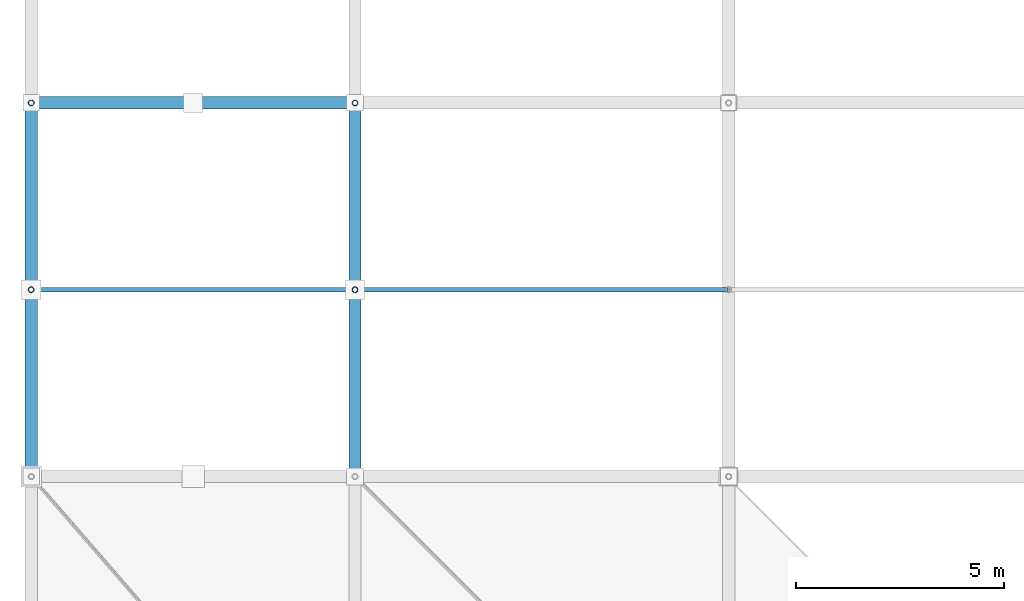
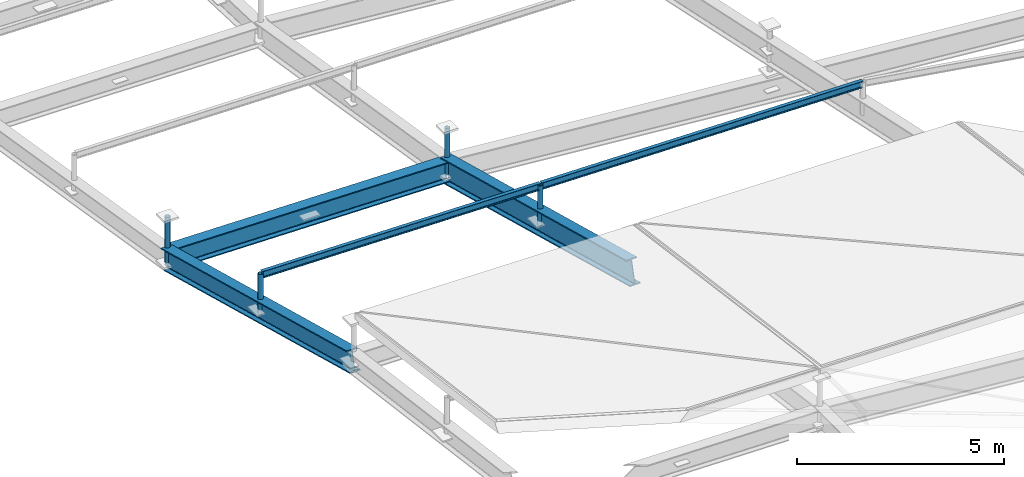
# One storey, part 31 of 80: 6 members, 3 beams.
"""IFC4 building model written with IfcOpenShell, lengths in metres."""

from ifc_helpers import new_model, si_unit, direction, frame, origin, origin_2d, place, context, subcontext, project, spatial, hollow_circle, i_section, extrude, material, material_profile, profile_set, type_object, element, save


model = new_model("IFC4")

# Units and contexts
model_context = context("Model", 3, precision=1e-05, world=origin(), true_north=direction((0.0, 1.0)))
body_context = subcontext(model_context, "Body", "Model", "MODEL_VIEW")
ifc_project = project(units=[si_unit("LENGTHUNIT", "METRE"), si_unit("AREAUNIT", "SQUARE_METRE"), si_unit("VOLUMEUNIT", "CUBIC_METRE"), si_unit("PLANEANGLEUNIT", "RADIAN"), si_unit("MASSUNIT", "GRAM", prefix="KILO")], contexts=[model_context])

# Site, building, storey
site_placement = place(None, origin())
site = spatial("IfcSite", under=ifc_project, at=site_placement, CompositionType="ELEMENT")
building_placement = place(site_placement, origin())
building = spatial("IfcBuilding", under=site, at=building_placement, Name="Barlavento Convention Centre", CompositionType="ELEMENT")
storey_placement = place(building_placement, frame((0.0, 0.0, 29.800048828125)))
storey = spatial("IfcBuildingStorey", under=building, at=storey_placement, Name="RF", CompositionType="ELEMENT", Elevation=29.800048828125)

# Beams
ifc_material_1 = material(Name="Steel S355", Category="steel")
ifc_material_profile_1 = material_profile(ifc_material_1, i_section(OverallWidth=0.300048828125, OverallDepth=0.60009765625, WebThickness=0.015380859375, FlangeThickness=0.030029296875, FilletRadius=0.027099609375, at=origin_2d()), Name="HEB 600")
ifc_profile_set_1 = profile_set([ifc_material_profile_1], Name="Steel S355")
beam_type_1 = type_object("IfcBeamType", Name="STR-BM-CANT-HEB600", PredefinedType="BEAM", material=ifc_profile_set_1)
beam_1_placement = place(storey_placement, frame((-7.794921875, 45.0, -3.199951171875), z_axis=(0.99989428468, 0.0, -0.014540270405), x_axis=(0.0, 1.0, 0.0)))
element("IfcBeam", 1, at=beam_1_placement, inside=storey, type_object=beam_type_1, Name="Congress roof truss space frame chord", PredefinedType="BEAM", context=body_context, shape_type="SweptSolid", body=[
    extrude(i_section(OverallWidth=0.300048828125, OverallDepth=0.60009765625, WebThickness=0.015380859375, FlangeThickness=0.030029296875, FilletRadius=0.027099609375, at=origin_2d()), origin(), (0.0, 0.0, 1.0), 7.790771484375),
])
beam_2_placement = place(storey_placement, frame((-7.800048828125, 36.0048828125, -0.78564453125), z_axis=(0.0, 0.965781172214, -0.259358299262), x_axis=(-1.0, 0.0, 0.0)))
element("IfcBeam", 2, at=beam_2_placement, inside=storey, type_object=beam_type_1, Name="Congress roof truss space frame chord", PredefinedType="BEAM", context=body_context, shape_type="SweptSolid", body=[
    extrude(i_section(OverallWidth=0.300048828125, OverallDepth=0.60009765625, WebThickness=0.015380859375, FlangeThickness=0.030029296875, FilletRadius=0.027099609375, at=origin_2d()), origin(), (0.0, 0.0, 1.0), 9.308837890625),
])
ifc_material_2 = material(Name="Steel S460", Category="steel")
ifc_material_profile_2 = material_profile(ifc_material_2, i_section(OverallWidth=0.300048828125, OverallDepth=0.699951171875, WebThickness=0.01708984375, FlangeThickness=0.031982421875, FilletRadius=0.027099609375, at=origin_2d()), Name="HEB 700")
ifc_profile_set_2 = profile_set([ifc_material_profile_2], Name="Steel S460")
beam_type_2 = type_object("IfcBeamType", Name="STR-BM-TRUSS-TOP-HEB700", PredefinedType="BEAM", material=ifc_profile_set_2)
beam_3_placement = place(storey_placement, frame((0.0, 36.0048828125, -0.89892578125), z_axis=(0.0, 0.965781172214, -0.259358299262), x_axis=(-1.0, 0.0, 0.0)))
element("IfcBeam", 3, at=beam_3_placement, inside=storey, type_object=beam_type_2, Name="Congress roof truss space frame chord", PredefinedType="BEAM", context=body_context, shape_type="SweptSolid", body=[
    extrude(i_section(OverallWidth=0.300048828125, OverallDepth=0.699951171875, WebThickness=0.01708984375, FlangeThickness=0.031982421875, FilletRadius=0.027099609375, at=origin_2d()), origin(), (0.0, 0.0, 1.0), 9.308837890625),
])

# Members
ifc_material_profile_3 = material_profile(ifc_material_1, hollow_circle(Radius=0.06982421875, WallThickness=0.008056640625, at=origin_2d()), Name="CHS 139.7x8.0")
ifc_profile_set_3 = profile_set([ifc_material_profile_3], Name="Steel S355")
member_type_1 = type_object("IfcMemberType", Name="STR-MEM-DIAG-CHS139", PredefinedType="BRACE", material=ifc_profile_set_3)
member_1_placement = place(storey_placement, frame((-7.800048828125, 45.0, -3.35009765625), z_axis=(0.0, 0.0, 1.0), x_axis=(1.0, 0.0, 0.0)))
element("IfcMember", 4, at=member_1_placement, inside=storey, type_object=member_type_1, Name="Congress space frame vertical node post TD04", PredefinedType="BRACE", context=body_context, shape_type="SweptSolid", body=[
    extrude(hollow_circle(Radius=0.06982421875, WallThickness=0.008056640625, at=origin_2d()), origin(), (0.0, 0.0, 1.0), 1.3701171875),
])
member_2_placement = place(storey_placement, frame((0.0, 45.0, -3.463134765625), z_axis=(0.0, 0.0, 1.0), x_axis=(1.0, 0.0, 0.0)))
element("IfcMember", 5, at=member_2_placement, inside=storey, type_object=member_type_1, Name="Congress space frame vertical node post TD04", PredefinedType="BRACE", context=body_context, shape_type="SweptSolid", body=[
    extrude(hollow_circle(Radius=0.06982421875, WallThickness=0.008056640625, at=origin_2d()), origin(), (0.0, 0.0, 1.0), 1.369873046875),
])
member_3_placement = place(storey_placement, frame((-7.800048828125, 40.5, -2.11279296875), z_axis=(0.0, 0.0, 1.0), x_axis=(1.0, 0.0, 0.0)))
element("IfcMember", 6, at=member_3_placement, inside=storey, type_object=member_type_1, Name="Congress space frame vertical node post TD04", PredefinedType="BRACE", context=body_context, shape_type="SweptSolid", body=[
    extrude(hollow_circle(Radius=0.06982421875, WallThickness=0.008056640625, at=origin_2d()), origin(), (0.0, 0.0, 1.0), 1.181640625),
])
member_4_placement = place(storey_placement, frame((0.0, 40.5, -2.22607421875), z_axis=(0.0, 0.0, 1.0), x_axis=(1.0, 0.0, 0.0)))
element("IfcMember", 7, at=member_4_placement, inside=storey, type_object=member_type_1, Name="Congress space frame vertical node post TD04", PredefinedType="BRACE", context=body_context, shape_type="SweptSolid", body=[
    extrude(hollow_circle(Radius=0.06982421875, WallThickness=0.008056640625, at=origin_2d()), origin(), (0.0, 0.0, 1.0), 1.18212890625),
])
ifc_material_profile_4 = material_profile(ifc_material_1, i_section(OverallWidth=0.10009765625, OverallDepth=0.199951171875, WebThickness=0.005615234375, FlangeThickness=0.008544921875, FilletRadius=0.011962890625, at=origin_2d()), Name="IPE 200")
ifc_profile_set_4 = profile_set([ifc_material_profile_4], Name="Steel S355")
member_type_2 = type_object("IfcMemberType", Name="STR-MEM-PUR-IPE200", PredefinedType="PURLIN", material=ifc_profile_set_4)
member_5_placement = place(storey_placement, frame((-7.780029296875, 40.5, -0.97119140625), z_axis=(0.999894381325, 0.0, -0.014533622909), x_axis=(0.0, 1.0, 0.0)))
element("IfcMember", 8, at=member_5_placement, inside=storey, type_object=member_type_2, Name="Congress roof intermediate purlin PR01", PredefinedType="PURLIN", context=body_context, shape_type="SweptSolid", body=[
    extrude(i_section(OverallWidth=0.10009765625, OverallDepth=0.199951171875, WebThickness=0.005615234375, FlangeThickness=0.008544921875, FilletRadius=0.011962890625, at=origin_2d()), origin(), (0.0, 0.0, 1.0), 7.7607421875),
])
member_6_placement = place(storey_placement, frame((0.02001953125, 40.5, -1.08447265625), z_axis=(0.999894950811, 0.0, -0.014494390023), x_axis=(0.0, 1.0, 0.0)))
element("IfcMember", 9, at=member_6_placement, inside=storey, type_object=member_type_2, Name="Congress roof intermediate purlin PR01", PredefinedType="PURLIN", context=body_context, shape_type="SweptSolid", body=[
    extrude(i_section(OverallWidth=0.10009765625, OverallDepth=0.199951171875, WebThickness=0.005615234375, FlangeThickness=0.008544921875, FilletRadius=0.011962890625, at=origin_2d()), origin(), (0.0, 0.0, 1.0), 8.9609375),
])

save(model, "model.ifc")
